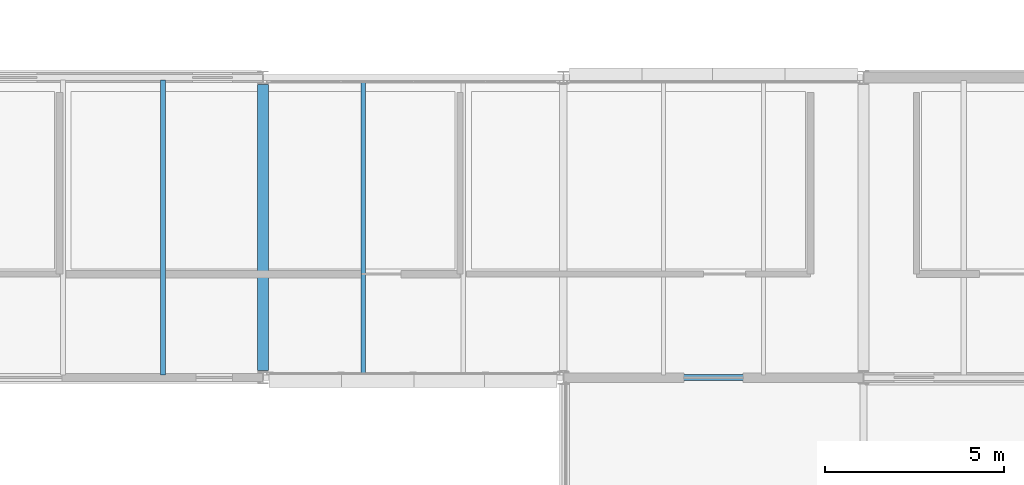
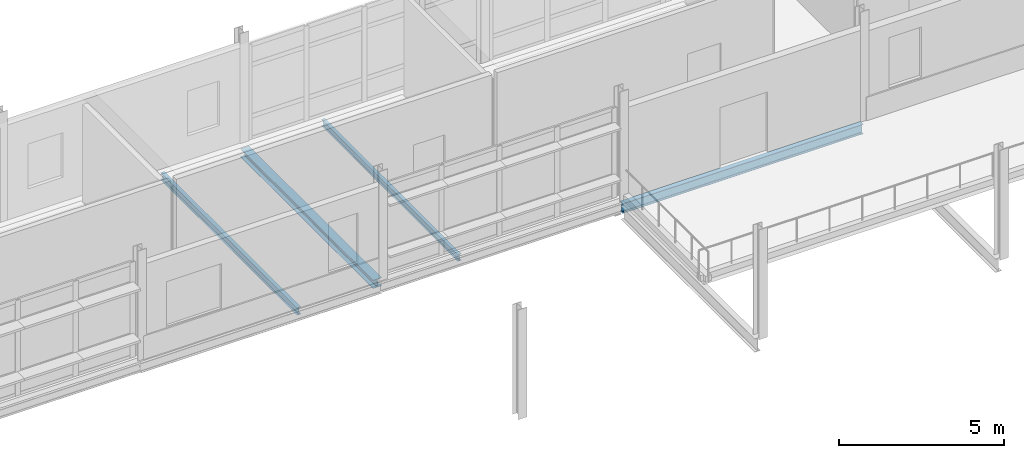
# One storey, part 27 of 57: 4 beams.
"""IFC4 building model written with IfcOpenShell, lengths in metres."""

from ifc_helpers import new_model, si_unit, direction, frame, origin, origin_2d, place, context, subcontext, project, spatial, i_section, extrude, material, material_profile, profile_set, type_object, element, save


model = new_model("IFC4")

# Units and contexts
model_context = context("Model", 3, precision=1e-05, world=origin(), true_north=direction((0.0, 1.0)))
body_context = subcontext(model_context, "Body", "Model", "MODEL_VIEW")
ifc_project = project(units=[si_unit("LENGTHUNIT", "METRE"), si_unit("AREAUNIT", "SQUARE_METRE"), si_unit("VOLUMEUNIT", "CUBIC_METRE"), si_unit("PLANEANGLEUNIT", "RADIAN"), si_unit("MASSUNIT", "GRAM", prefix="KILO")], contexts=[model_context])

# Site, building, storey
site_placement = place(None, origin())
site = spatial("IfcSite", under=ifc_project, at=site_placement, CompositionType="ELEMENT")
building_placement = place(site_placement, origin())
building = spatial("IfcBuilding", under=site, at=building_placement, Name="Mersafa Astral City Hall", CompositionType="ELEMENT")
storey_placement = place(building_placement, frame((0.0, 0.0, 26.10009765625)))
storey = spatial("IfcBuildingStorey", under=building, at=storey_placement, Name="L06", CompositionType="ELEMENT", Elevation=26.10009765625)

# Beams
ifc_material = material(Name="Steel S355", Category="steel")
ifc_material_profile_1 = material_profile(ifc_material, i_section(OverallWidth=0.300048828125, OverallDepth=0.31005859375, WebThickness=0.009033203125, FlangeThickness=0.015380859375, FilletRadius=0.027099609375, at=origin_2d()), Name="HEA 320")
ifc_profile_set_1 = profile_set([ifc_material_profile_1], Name="Steel S355")
beam_type_1 = type_object("IfcBeamType", Name="STR-BM-HEA320", PredefinedType="BEAM", material=ifc_profile_set_1)
beam_1_placement = place(storey_placement, frame((109.199951171875, 117.794921875, -0.330078125), z_axis=(0.0, 1.0, 0.0), x_axis=(-1.0, 0.0, 0.0)))
element("IfcBeam", 1, at=beam_1_placement, inside=storey, type_object=beam_type_1, Name="L06 Primary girder Y 13-14", PredefinedType="BEAM", context=body_context, shape_type="SweptSolid", body=[
    extrude(i_section(OverallWidth=0.300048828125, OverallDepth=0.31005859375, WebThickness=0.009033203125, FlangeThickness=0.015380859375, FilletRadius=0.027099609375, at=origin_2d()), origin(), (0.0, 0.0, 1.0), 8.010009765625),
])
ifc_material_profile_2 = material_profile(ifc_material, i_section(OverallWidth=0.1201171875, OverallDepth=0.239990234375, WebThickness=0.006103515625, FlangeThickness=0.009765625, FilletRadius=0.014892578125, at=origin_2d()), Name="IPE 240")
ifc_profile_set_2 = profile_set([ifc_material_profile_2], Name="Steel S355")
beam_type_2 = type_object("IfcBeamType", Name="STR-BM-JOIST-IPE240", PredefinedType="JOIST", material=ifc_profile_set_2)
beam_2_placement = place(storey_placement, frame((112.0, 117.675048828125, -0.295166015625), z_axis=(0.0, 1.0, 0.0), x_axis=(-1.0, 0.0, 0.0)))
element("IfcBeam", 2, at=beam_2_placement, inside=storey, type_object=beam_type_2, Name="L06 Composite secondary floor joist 858", PredefinedType="JOIST", context=body_context, shape_type="SweptSolid", body=[
    extrude(i_section(OverallWidth=0.1201171875, OverallDepth=0.239990234375, WebThickness=0.006103515625, FlangeThickness=0.009765625, FilletRadius=0.014892578125, at=origin_2d()), origin(), (0.0, 0.0, 1.0), 8.244873046875),
])
ifc_material_profile_3 = material_profile(ifc_material, i_section(OverallWidth=0.135009765625, OverallDepth=0.27001953125, WebThickness=0.006591796875, FlangeThickness=0.01025390625, FilletRadius=0.014892578125, at=origin_2d()), Name="IPE 270")
ifc_profile_set_3 = profile_set([ifc_material_profile_3], Name="Steel S355")
beam_type_3 = type_object("IfcBeamType", Name="STR-BM-JOIST-IPE270", PredefinedType="JOIST", material=ifc_profile_set_3)
beam_3_placement = place(storey_placement, frame((106.39990234375, 117.679931640625, -0.31005859375), z_axis=(0.0, 1.0, 0.0), x_axis=(-1.0, 0.0, 0.0)))
element("IfcBeam", 3, at=beam_3_placement, inside=storey, type_object=beam_type_3, Name="L06 Composite secondary floor joist 857", PredefinedType="JOIST", context=body_context, shape_type="SweptSolid", body=[
    extrude(i_section(OverallWidth=0.135009765625, OverallDepth=0.27001953125, WebThickness=0.006591796875, FlangeThickness=0.01025390625, FilletRadius=0.014892578125, at=origin_2d()), origin(), (0.0, 0.0, 1.0), 8.2451171875),
])
ifc_material_profile_4 = material_profile(ifc_material, i_section(OverallWidth=0.169921875, OverallDepth=0.360107421875, WebThickness=0.008056640625, FlangeThickness=0.0126953125, FilletRadius=0.01806640625, at=origin_2d()), Name="IPE 360")
ifc_profile_set_4 = profile_set([ifc_material_profile_4], Name="Steel S355")
beam_type_4 = type_object("IfcBeamType", Name="STR-BM-SPANDREL-IPE360", PredefinedType="SPANDREL", material=ifc_profile_set_4)
beam_4_placement = place(storey_placement, frame((117.60302734375, 117.60009765625, -0.35498046875), z_axis=(1.0, 0.0, 0.0), x_axis=(0.0, 1.0, 0.0)))
element("IfcBeam", 4, at=beam_4_placement, inside=storey, type_object=beam_type_4, Name="L06 Primary girder X 14-14", PredefinedType="SPANDREL", context=body_context, shape_type="SweptSolid", body=[
    extrude(i_section(OverallWidth=0.169921875, OverallDepth=0.360107421875, WebThickness=0.008056640625, FlangeThickness=0.0126953125, FilletRadius=0.01806640625, at=origin_2d()), origin(), (0.0, 0.0, 1.0), 8.39404296875),
])

save(model, "model.ifc")
